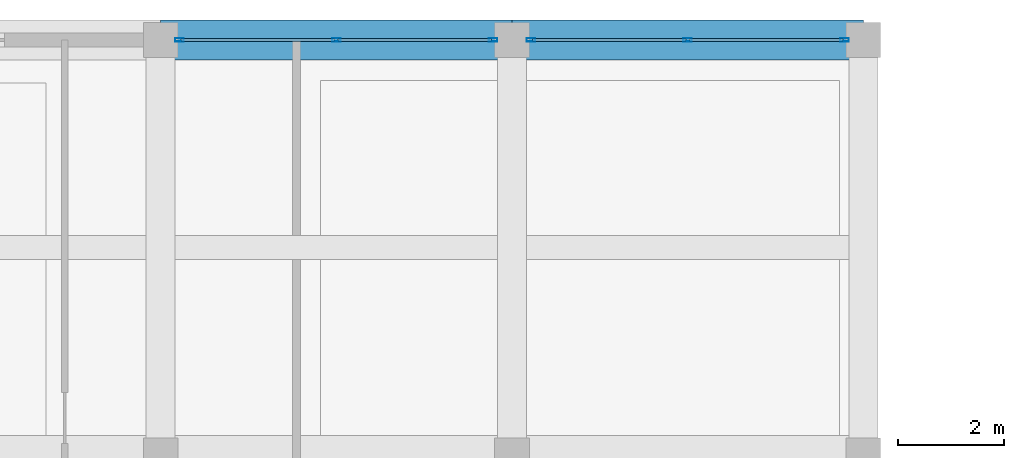
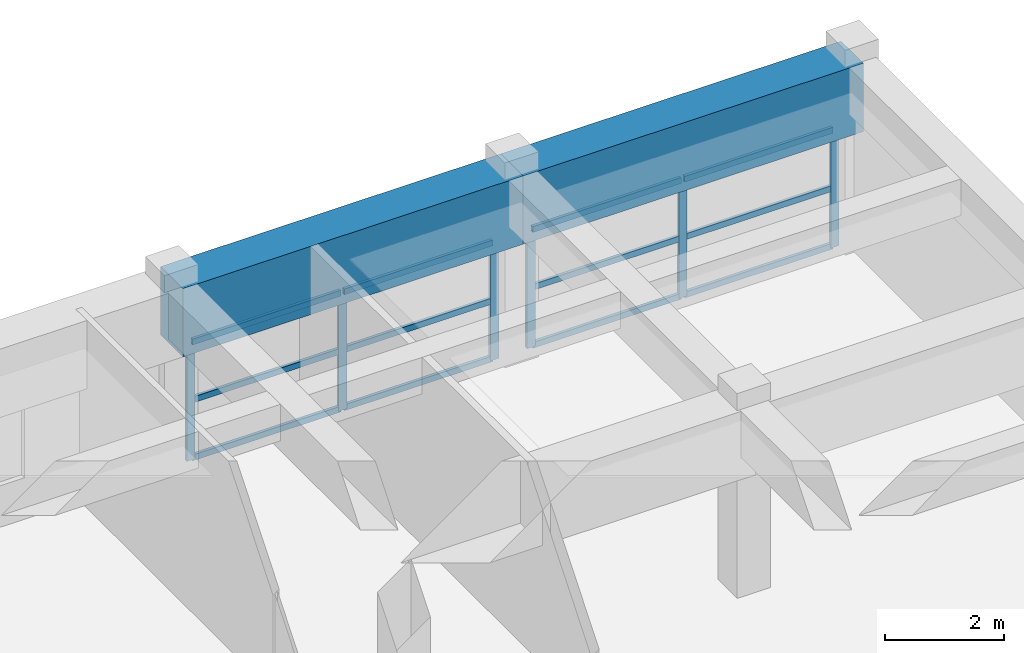
# One storey, part 98 of 147: 18 members, 2 beams, 2 elements without a shape of their own.
"""IFC4 building model written with IfcOpenShell, lengths in metres."""

from ifc_helpers import new_model, si_unit, direction, frame, origin, origin_2d, place, context, subcontext, project, spatial, rectangle, hollow_rectangle, extrude, material, material_profile, profile_set, type_object, element, aggregate, save


model = new_model("IFC4")

# Units and contexts
model_context = context("Model", 3, precision=1e-05, world=origin(), true_north=direction((0.0, 1.0)))
body_context = subcontext(model_context, "Body", "Model", "MODEL_VIEW")
ifc_project = project(units=[si_unit("LENGTHUNIT", "METRE"), si_unit("AREAUNIT", "SQUARE_METRE"), si_unit("VOLUMEUNIT", "CUBIC_METRE"), si_unit("PLANEANGLEUNIT", "RADIAN"), si_unit("MASSUNIT", "GRAM", prefix="KILO")], contexts=[model_context])

# Site, building, storey
site_placement = place(None, origin())
site = spatial("IfcSite", under=ifc_project, at=site_placement, CompositionType="ELEMENT")
building_placement = place(site_placement, origin())
building = spatial("IfcBuilding", under=site, at=building_placement, Name="Karori Crest Natural Sciences Institute", CompositionType="ELEMENT")
storey_placement = place(building_placement, frame((0.0, 0.0, 9.10009765625)))
storey = spatial("IfcBuildingStorey", under=building, at=storey_placement, Name="L02", CompositionType="ELEMENT", Elevation=9.10009765625)

# Beams
ifc_material_1 = material(Name="Concrete 50 MPa", Category="concrete")
ifc_material_profile_1 = material_profile(ifc_material_1, rectangle(XDim=0.75, YDim=1.39990234375, at=origin_2d()), Name="RCB750x1400")
ifc_profile_set_1 = profile_set([ifc_material_profile_1], Name="Concrete 50 MPa")
beam_type = type_object("IfcBeamType", Name="BT-17", PredefinedType="BEAM", material=ifc_profile_set_1)
beam_1_placement = place(storey_placement, frame((14.0, 162.199951171875, 3.14990234375), z_axis=(1.0, 0.0, 0.0), x_axis=(0.0, 1.0, 0.0)))
element("IfcBeam", 1, at=beam_1_placement, inside=storey, type_object=beam_type, Name="Beam B-1580", PredefinedType="BEAM", context=body_context, shape_type="SweptSolid", body=[
    extrude(rectangle(XDim=0.75, YDim=1.39990234375, at=origin_2d()), origin(), (0.0, 0.0, 1.0), 6.60009765625),
])
beam_2_placement = place(storey_placement, frame((20.60009765625, 162.199951171875, 3.14990234375), z_axis=(1.0, 0.0, 0.0), x_axis=(0.0, 1.0, 0.0)))
element("IfcBeam", 2, at=beam_2_placement, inside=storey, type_object=beam_type, Name="Beam B-1581", PredefinedType="BEAM", context=body_context, shape_type="SweptSolid", body=[
    extrude(rectangle(XDim=0.75, YDim=1.39990234375, at=origin_2d()), origin(), (0.0, 0.0, 1.0), 6.599853515625),
])

# Curtain wall, members
ifc_material_2 = material(Name="Anodised architectural aluminium 6063-T6", Category="aluminium")
curtain_wall_type = type_object("IfcCurtainWallType", Name="CWT-19", PredefinedType="NOTDEFINED", material=ifc_material_2)
curtain_wall_1_placement = place(storey_placement, origin())
curtain_wall_1 = element("IfcCurtainWall", 3, at=curtain_wall_1_placement, inside=storey, type_object=curtain_wall_type, Name="Curtain wall CW-0290", PredefinedType="NOTDEFINED")
ifc_material_profile_2 = material_profile(ifc_material_2, hollow_rectangle(XDim=0.06494140625, YDim=0.159912109375, WallThickness=0.00390625, at=origin_2d()), Name="CWM160x65x4")
ifc_profile_set_2 = profile_set([ifc_material_profile_2], Name="Anodised architectural aluminium 6063-T6")
member_type_1 = type_object("IfcMemberType", Name="CWM-01", PredefinedType="MULLION", material=ifc_profile_set_2)
member_1_placement = place(storey_placement, frame((14.35546875, 162.199951171875, 0.0), z_axis=(0.0, 0.0, 1.0), x_axis=(0.0, 1.0, 0.0)))
member_1 = element("IfcMember", 4, at=member_1_placement, type_object=member_type_1, Name="CW-0290 mullion 1", PredefinedType="MULLION", context=body_context, shape_type="SweptSolid", body=[
    extrude(hollow_rectangle(XDim=0.06494140625, YDim=0.159912109375, WallThickness=0.00390625, at=origin_2d()), origin(), (0.0, 0.0, 1.0), 2.434814453125),
])
member_2_placement = place(storey_placement, frame((17.300048828125, 162.199951171875, 0.0), z_axis=(0.0, 0.0, 1.0), x_axis=(0.0, 1.0, 0.0)))
member_2 = element("IfcMember", 5, at=member_2_placement, type_object=member_type_1, Name="CW-0290 mullion 2", PredefinedType="MULLION", context=body_context, shape_type="SweptSolid", body=[
    extrude(hollow_rectangle(XDim=0.06494140625, YDim=0.159912109375, WallThickness=0.00390625, at=origin_2d()), origin(), (0.0, 0.0, 1.0), 2.434814453125),
])
member_3_placement = place(storey_placement, frame((20.244384765625, 162.199951171875, 0.0), z_axis=(0.0, 0.0, 1.0), x_axis=(0.0, 1.0, 0.0)))
member_3 = element("IfcMember", 6, at=member_3_placement, type_object=member_type_1, Name="CW-0290 mullion 3", PredefinedType="MULLION", context=body_context, shape_type="SweptSolid", body=[
    extrude(hollow_rectangle(XDim=0.06494140625, YDim=0.159912109375, WallThickness=0.00390625, at=origin_2d()), origin(), (0.0, 0.0, 1.0), 2.434814453125),
])

curtain_wall_2_placement = place(storey_placement, origin())
curtain_wall_2 = element("IfcCurtainWall", 7, at=curtain_wall_2_placement, inside=storey, type_object=curtain_wall_type, Name="Curtain wall CW-0291", PredefinedType="NOTDEFINED")
member_4_placement = place(storey_placement, frame((20.95556640625, 162.199951171875, 0.0), z_axis=(0.0, 0.0, 1.0), x_axis=(0.0, 1.0, 0.0)))
member_4 = element("IfcMember", 8, at=member_4_placement, type_object=member_type_1, Name="CW-0291 mullion 1", PredefinedType="MULLION", context=body_context, shape_type="SweptSolid", body=[
    extrude(hollow_rectangle(XDim=0.06494140625, YDim=0.159912109375, WallThickness=0.00390625, at=origin_2d()), origin(), (0.0, 0.0, 1.0), 2.434814453125),
])
member_5_placement = place(storey_placement, frame((23.89990234375, 162.199951171875, 0.0), z_axis=(0.0, 0.0, 1.0), x_axis=(0.0, 1.0, 0.0)))
member_5 = element("IfcMember", 9, at=member_5_placement, type_object=member_type_1, Name="CW-0291 mullion 2", PredefinedType="MULLION", context=body_context, shape_type="SweptSolid", body=[
    extrude(hollow_rectangle(XDim=0.06494140625, YDim=0.159912109375, WallThickness=0.00390625, at=origin_2d()), origin(), (0.0, 0.0, 1.0), 2.434814453125),
])
member_6_placement = place(storey_placement, frame((26.844482421875, 162.199951171875, 0.0), z_axis=(0.0, 0.0, 1.0), x_axis=(0.0, 1.0, 0.0)))
member_6 = element("IfcMember", 10, at=member_6_placement, type_object=member_type_1, Name="CW-0291 mullion 3", PredefinedType="MULLION", context=body_context, shape_type="SweptSolid", body=[
    extrude(hollow_rectangle(XDim=0.06494140625, YDim=0.159912109375, WallThickness=0.00390625, at=origin_2d()), origin(), (0.0, 0.0, 1.0), 2.434814453125),
])

# Member
ifc_material_profile_3 = material_profile(ifc_material_2, hollow_rectangle(XDim=0.06005859375, YDim=0.1201171875, WallThickness=0.00390625, at=origin_2d()), Name="CWT120x60x4")
ifc_profile_set_3 = profile_set([ifc_material_profile_3], Name="Anodised architectural aluminium 6063-T6")
member_type_2 = type_object("IfcMemberType", Name="CWT-TR1", PredefinedType="USERDEFINED", material=ifc_profile_set_3)
member_7_placement = place(storey_placement, frame((14.387939453125, 162.199951171875, 0.02978515625), z_axis=(1.0, 0.0, 0.0), x_axis=(0.0, 1.0, 0.0)))
member_7 = element("IfcMember", 11, at=member_7_placement, type_object=member_type_2, Name="CW-0290 transom 1.1", ObjectType="TRANSOM", PredefinedType="USERDEFINED", context=body_context, shape_type="SweptSolid", body=[
    extrude(hollow_rectangle(XDim=0.06005859375, YDim=0.1201171875, WallThickness=0.00390625, at=origin_2d()), origin(), (0.0, 0.0, 1.0), 2.879638671875),
])

member_8_placement = place(storey_placement, frame((14.387939453125, 162.199951171875, 1.21728515625), z_axis=(1.0, 0.0, 0.0), x_axis=(0.0, 1.0, 0.0)))
member_8 = element("IfcMember", 12, at=member_8_placement, type_object=member_type_2, Name="CW-0290 transom 1.2", ObjectType="TRANSOM", PredefinedType="USERDEFINED", context=body_context, shape_type="SweptSolid", body=[
    extrude(hollow_rectangle(XDim=0.06005859375, YDim=0.1201171875, WallThickness=0.00390625, at=origin_2d()), origin(), (0.0, 0.0, 1.0), 2.879638671875),
])

member_9_placement = place(storey_placement, frame((14.387939453125, 162.199951171875, 2.40478515625), z_axis=(1.0, 0.0, 0.0), x_axis=(0.0, 1.0, 0.0)))
member_9 = element("IfcMember", 13, at=member_9_placement, type_object=member_type_2, Name="CW-0290 transom 1.3", ObjectType="TRANSOM", PredefinedType="USERDEFINED", context=body_context, shape_type="SweptSolid", body=[
    extrude(hollow_rectangle(XDim=0.06005859375, YDim=0.1201171875, WallThickness=0.00390625, at=origin_2d()), origin(), (0.0, 0.0, 1.0), 2.879638671875),
])

member_10_placement = place(storey_placement, frame((17.33251953125, 162.199951171875, 0.02978515625), z_axis=(1.0, 0.0, 0.0), x_axis=(0.0, 1.0, 0.0)))
member_10 = element("IfcMember", 14, at=member_10_placement, type_object=member_type_2, Name="CW-0290 transom 2.1", ObjectType="TRANSOM", PredefinedType="USERDEFINED", context=body_context, shape_type="SweptSolid", body=[
    extrude(hollow_rectangle(XDim=0.06005859375, YDim=0.1201171875, WallThickness=0.00390625, at=origin_2d()), origin(), (0.0, 0.0, 1.0), 2.87939453125),
])

member_11_placement = place(storey_placement, frame((17.33251953125, 162.199951171875, 1.21728515625), z_axis=(1.0, 0.0, 0.0), x_axis=(0.0, 1.0, 0.0)))
member_11 = element("IfcMember", 15, at=member_11_placement, type_object=member_type_2, Name="CW-0290 transom 2.2", ObjectType="TRANSOM", PredefinedType="USERDEFINED", context=body_context, shape_type="SweptSolid", body=[
    extrude(hollow_rectangle(XDim=0.06005859375, YDim=0.1201171875, WallThickness=0.00390625, at=origin_2d()), origin(), (0.0, 0.0, 1.0), 2.87939453125),
])

member_12_placement = place(storey_placement, frame((17.33251953125, 162.199951171875, 2.40478515625), z_axis=(1.0, 0.0, 0.0), x_axis=(0.0, 1.0, 0.0)))
member_12 = element("IfcMember", 16, at=member_12_placement, type_object=member_type_2, Name="CW-0290 transom 2.3", ObjectType="TRANSOM", PredefinedType="USERDEFINED", context=body_context, shape_type="SweptSolid", body=[
    extrude(hollow_rectangle(XDim=0.06005859375, YDim=0.1201171875, WallThickness=0.00390625, at=origin_2d()), origin(), (0.0, 0.0, 1.0), 2.87939453125),
])

aggregate(curtain_wall_1, [member_1, member_2, member_3, member_7, member_8, member_9, member_10, member_11, member_12])

member_13_placement = place(storey_placement, frame((20.988037109375, 162.199951171875, 0.02978515625), z_axis=(1.0, 0.0, 0.0), x_axis=(0.0, 1.0, 0.0)))
member_13 = element("IfcMember", 17, at=member_13_placement, type_object=member_type_2, Name="CW-0291 transom 1.1", ObjectType="TRANSOM", PredefinedType="USERDEFINED", context=body_context, shape_type="SweptSolid", body=[
    extrude(hollow_rectangle(XDim=0.06005859375, YDim=0.1201171875, WallThickness=0.00390625, at=origin_2d()), origin(), (0.0, 0.0, 1.0), 2.87939453125),
])

member_14_placement = place(storey_placement, frame((20.988037109375, 162.199951171875, 1.21728515625), z_axis=(1.0, 0.0, 0.0), x_axis=(0.0, 1.0, 0.0)))
member_14 = element("IfcMember", 18, at=member_14_placement, type_object=member_type_2, Name="CW-0291 transom 1.2", ObjectType="TRANSOM", PredefinedType="USERDEFINED", context=body_context, shape_type="SweptSolid", body=[
    extrude(hollow_rectangle(XDim=0.06005859375, YDim=0.1201171875, WallThickness=0.00390625, at=origin_2d()), origin(), (0.0, 0.0, 1.0), 2.87939453125),
])

member_15_placement = place(storey_placement, frame((20.988037109375, 162.199951171875, 2.40478515625), z_axis=(1.0, 0.0, 0.0), x_axis=(0.0, 1.0, 0.0)))
member_15 = element("IfcMember", 19, at=member_15_placement, type_object=member_type_2, Name="CW-0291 transom 1.3", ObjectType="TRANSOM", PredefinedType="USERDEFINED", context=body_context, shape_type="SweptSolid", body=[
    extrude(hollow_rectangle(XDim=0.06005859375, YDim=0.1201171875, WallThickness=0.00390625, at=origin_2d()), origin(), (0.0, 0.0, 1.0), 2.87939453125),
])

member_16_placement = place(storey_placement, frame((23.9326171875, 162.199951171875, 0.02978515625), z_axis=(1.0, 0.0, 0.0), x_axis=(0.0, 1.0, 0.0)))
member_16 = element("IfcMember", 20, at=member_16_placement, type_object=member_type_2, Name="CW-0291 transom 2.1", ObjectType="TRANSOM", PredefinedType="USERDEFINED", context=body_context, shape_type="SweptSolid", body=[
    extrude(hollow_rectangle(XDim=0.06005859375, YDim=0.1201171875, WallThickness=0.00390625, at=origin_2d()), origin(), (0.0, 0.0, 1.0), 2.87939453125),
])

member_17_placement = place(storey_placement, frame((23.9326171875, 162.199951171875, 1.21728515625), z_axis=(1.0, 0.0, 0.0), x_axis=(0.0, 1.0, 0.0)))
member_17 = element("IfcMember", 21, at=member_17_placement, type_object=member_type_2, Name="CW-0291 transom 2.2", ObjectType="TRANSOM", PredefinedType="USERDEFINED", context=body_context, shape_type="SweptSolid", body=[
    extrude(hollow_rectangle(XDim=0.06005859375, YDim=0.1201171875, WallThickness=0.00390625, at=origin_2d()), origin(), (0.0, 0.0, 1.0), 2.87939453125),
])

member_18_placement = place(storey_placement, frame((23.9326171875, 162.199951171875, 2.40478515625), z_axis=(1.0, 0.0, 0.0), x_axis=(0.0, 1.0, 0.0)))
member_18 = element("IfcMember", 22, at=member_18_placement, type_object=member_type_2, Name="CW-0291 transom 2.3", ObjectType="TRANSOM", PredefinedType="USERDEFINED", context=body_context, shape_type="SweptSolid", body=[
    extrude(hollow_rectangle(XDim=0.06005859375, YDim=0.1201171875, WallThickness=0.00390625, at=origin_2d()), origin(), (0.0, 0.0, 1.0), 2.87939453125),
])

aggregate(curtain_wall_2, [member_4, member_5, member_6, member_13, member_14, member_15, member_16, member_17, member_18])

save(model, "model.ifc")
